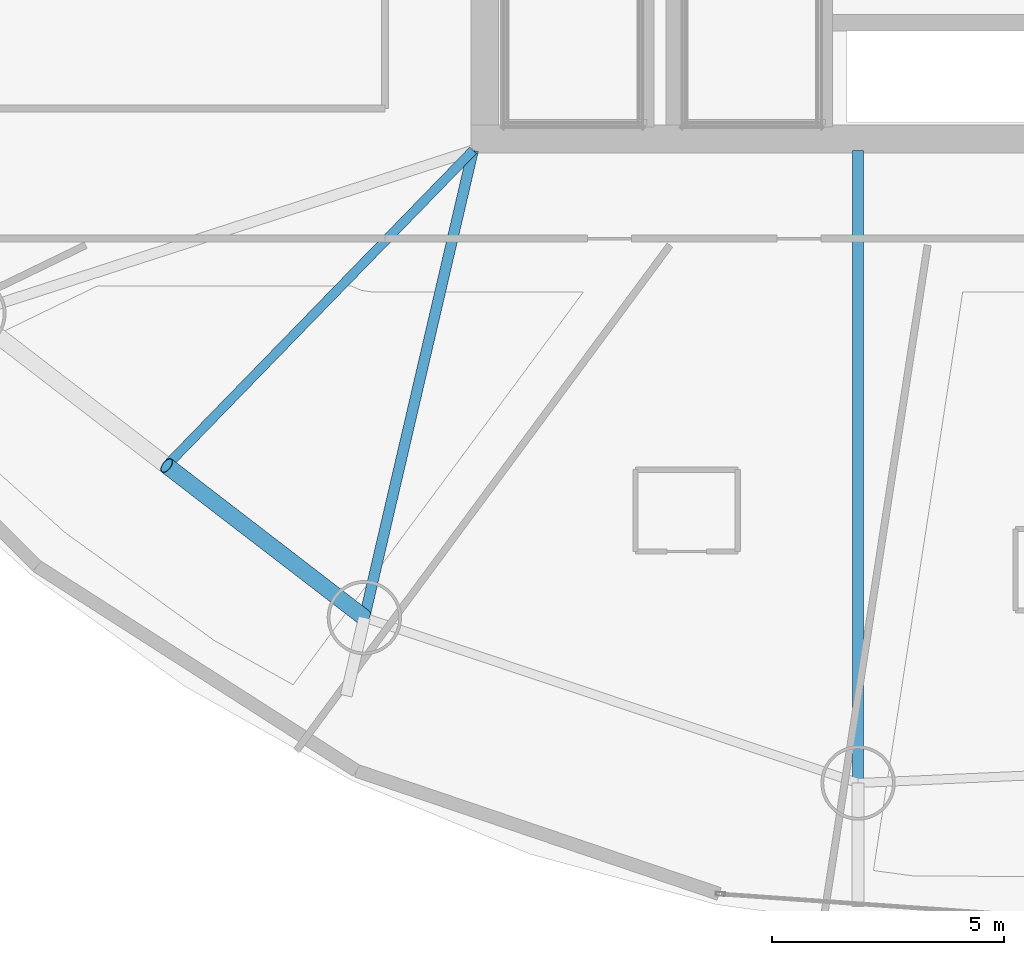
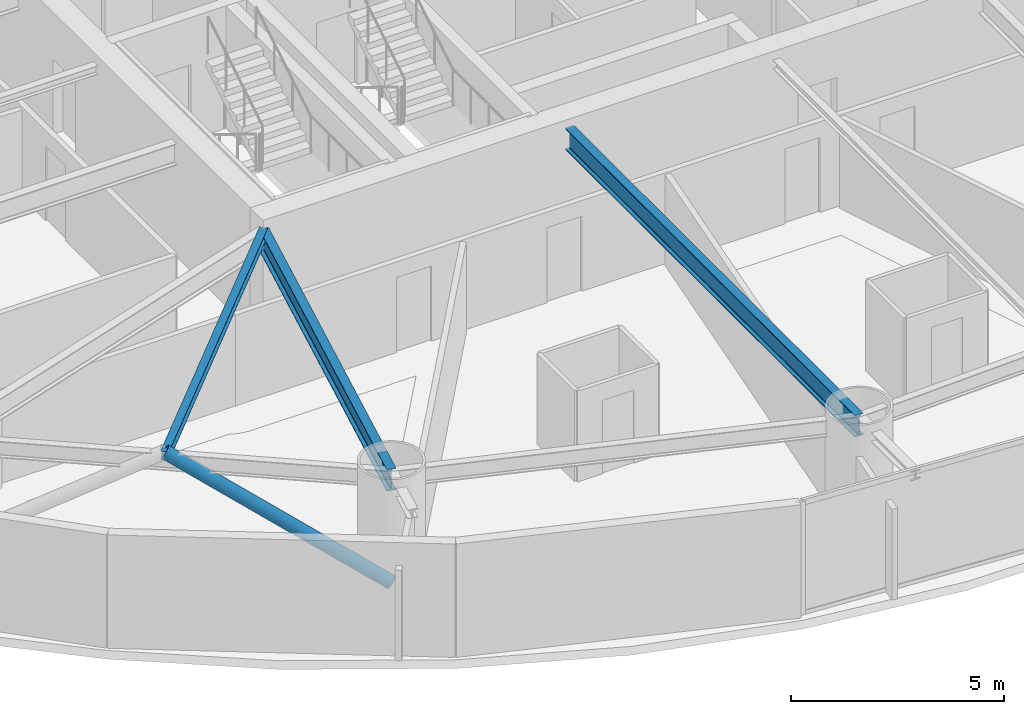
# One storey, part 3 of 27: 3 beams, 1 member.
"""IFC4 building model written with IfcOpenShell, lengths in metres."""

from ifc_helpers import new_model, si_unit, direction, frame, origin, origin_2d, place, context, subcontext, project, spatial, hollow_circle, i_section, extrude, material, material_profile, profile_set, type_object, element, save


model = new_model("IFC4")

# Units and contexts
model_context = context("Model", 3, precision=1e-05, world=origin(), true_north=direction((0.0, 1.0)))
body_context = subcontext(model_context, "Body", "Model", "MODEL_VIEW")
ifc_project = project(units=[si_unit("LENGTHUNIT", "METRE"), si_unit("AREAUNIT", "SQUARE_METRE"), si_unit("VOLUMEUNIT", "CUBIC_METRE"), si_unit("PLANEANGLEUNIT", "RADIAN"), si_unit("MASSUNIT", "GRAM", prefix="KILO")], contexts=[model_context])

# Site, building, storey
site_placement = place(None, origin())
site = spatial("IfcSite", under=ifc_project, at=site_placement, CompositionType="ELEMENT")
building_placement = place(site_placement, origin())
building = spatial("IfcBuilding", under=site, at=building_placement, Name="Bramvorn Convention Spire", CompositionType="ELEMENT")
storey_placement = place(building_placement, frame((0.0, 0.0, 79.89990234375)))
storey = spatial("IfcBuildingStorey", under=building, at=storey_placement, Name="L18", CompositionType="ELEMENT", Elevation=79.89990234375)

# Beams
ifc_material = material(Name="Steel CSA G40.21 Grade 350 (350W)", Category="steel")
ifc_material_profile_1 = material_profile(ifc_material, i_section(OverallWidth=0.201904296875, OverallDepth=0.2470703125, WebThickness=0.00732421875, FlangeThickness=0.010986328125, FilletRadius=0.011962890625, at=origin_2d()))
ifc_profile_set_1 = profile_set([ifc_material_profile_1], Name="Steel CSA G40.21 Grade 350 (350W) - W250X49")
beam_type_1 = type_object("IfcBeamType", Name="BM-W250X49", PredefinedType="JOIST", material=ifc_profile_set_1)
beam_1_placement = place(storey_placement, frame((26.75, 18.550048828125, 3.126708984375), z_axis=(-0.697157225069, -0.716918268378, 0.0), x_axis=(0.716918268378, -0.697157225069, 0.0)))
element("IfcBeam", 1, at=beam_1_placement, inside=storey, type_object=beam_type_1, Name="L18 composite floor joist 11", PredefinedType="JOIST", context=body_context, shape_type="SweptSolid", body=[
    extrude(i_section(OverallWidth=0.201904296875, OverallDepth=0.2470703125, WebThickness=0.00732421875, FlangeThickness=0.010986328125, FilletRadius=0.011962890625, at=origin_2d()), origin(), (0.0, 0.0, 1.0), 9.463623046875),
])
ifc_material_profile_2 = material_profile(ifc_material, i_section(OverallWidth=0.22998046875, OverallDepth=0.616943359375, WebThickness=0.01318359375, FlangeThickness=0.022216796875, FilletRadius=0.02001953125, at=origin_2d()))
ifc_profile_set_2 = profile_set([ifc_material_profile_2], Name="Steel CSA G40.21 Grade 350 (350W) - W610X140")
beam_type_2 = type_object("IfcBeamType", Name="BM-W610X140", PredefinedType="BEAM", material=ifc_profile_set_2)
beam_2_placement = place(storey_placement, frame((26.75, 18.550048828125, 2.941650390625), z_axis=(-0.226606328522, -0.973986433106, 0.0), x_axis=(0.973986433106, -0.226606328522, 0.0)))
element("IfcBeam", 2, at=beam_2_placement, inside=storey, type_object=beam_type_2, Name="L18 radial floor girder MC12", PredefinedType="BEAM", context=body_context, shape_type="SweptSolid", body=[
    extrude(i_section(OverallWidth=0.22998046875, OverallDepth=0.616943359375, WebThickness=0.01318359375, FlangeThickness=0.022216796875, FilletRadius=0.02001953125, at=origin_2d()), origin(), (0.0, 0.0, 1.0), 10.32763671875),
])
beam_3_placement = place(storey_placement, frame((35.0390625, 18.550048828125, 2.941650390625), z_axis=(0.0, -1.0, 0.0), x_axis=(1.0, 0.0, 0.0)))
element("IfcBeam", 3, at=beam_3_placement, inside=storey, type_object=beam_type_2, Name="L18 radial floor girder MC13", PredefinedType="BEAM", context=body_context, shape_type="SweptSolid", body=[
    extrude(i_section(OverallWidth=0.22998046875, OverallDepth=0.616943359375, WebThickness=0.01318359375, FlangeThickness=0.022216796875, FilletRadius=0.02001953125, at=origin_2d()), origin(), (0.0, 0.0, 1.0), 13.618896484375),
])

# Member
ifc_material_profile_3 = material_profile(ifc_material, hollow_circle(Radius=0.177734375, WallThickness=0.015869140625, at=origin_2d()))
ifc_profile_set_3 = profile_set([ifc_material_profile_3], Name="Steel CSA G40.21 Grade 350 (350W) - CHS356X16")
member_type = type_object("IfcMemberType", Name="MBR-CHS356X16", PredefinedType="BRACE", material=ifc_profile_set_3)
member_placement = place(storey_placement, frame((24.40966796875, 8.490966796875, 0.0), z_axis=(-0.678169858834, 0.521597324617, 0.517708289987), x_axis=(-0.609658037113, -0.792664543034, 0.0)))
element("IfcMember", 4, at=member_placement, inside=storey, type_object=member_type, Name="L18 perimeter Gothic lancet brace 11B", PredefinedType="BRACE", context=body_context, shape_type="SweptSolid", body=[
    extrude(hollow_circle(Radius=0.177734375, WallThickness=0.015869140625, at=origin_2d()), origin(), (0.0, 0.0, 1.0), 6.277587890625),
])

save(model, "model.ifc")
